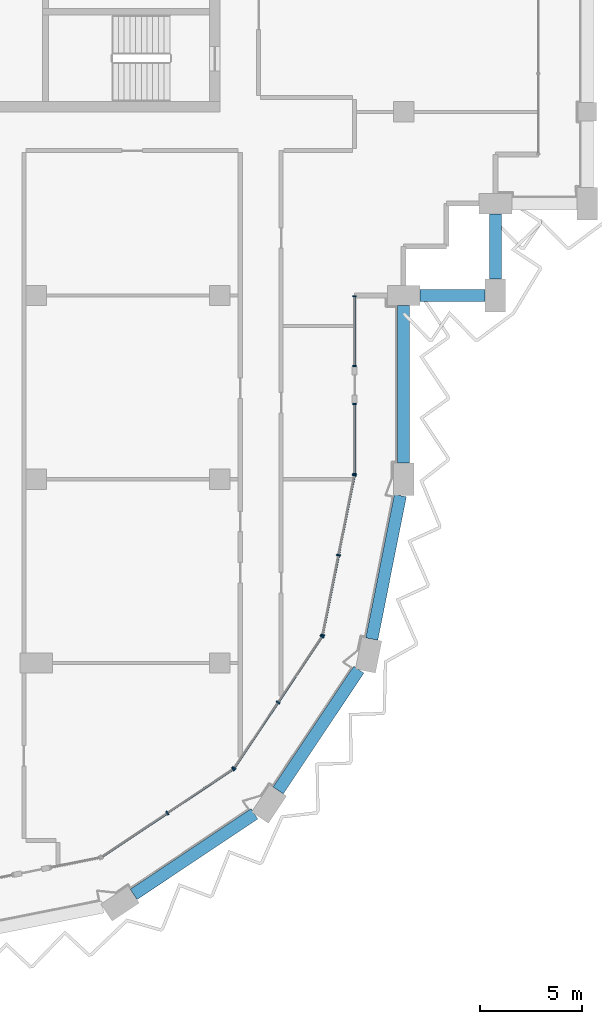
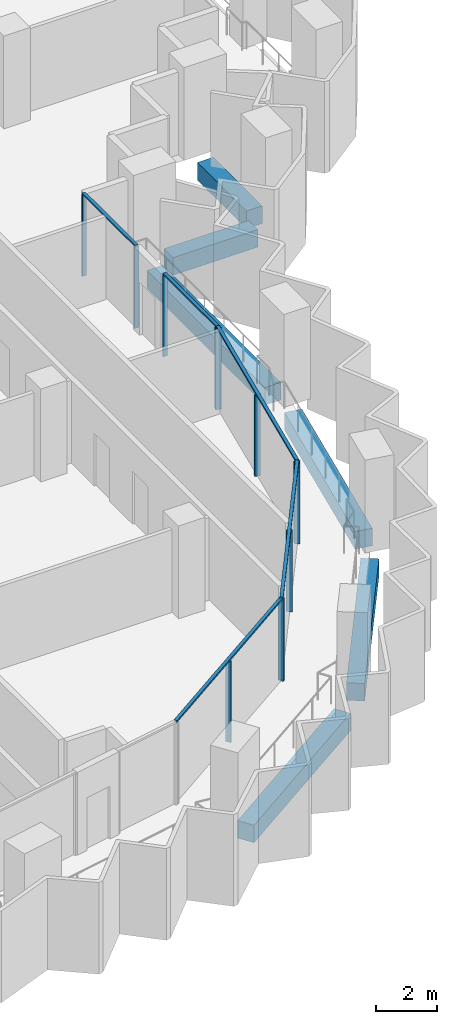
# One storey, part 3 of 16: 17 members, 6 beams, 5 elements without a shape of their own.
"""IFC4 building model written with IfcOpenShell, lengths in metres."""

from ifc_helpers import new_model, si_unit, direction, frame, origin, origin_2d, place, context, subcontext, project, spatial, rectangle, extrude, material, material_profile, profile_set, type_object, element, aggregate, save


model = new_model("IFC4")

# Units and contexts
model_context = context("Model", 3, precision=1e-05, world=origin(), true_north=direction((0.0, 1.0)))
body_context = subcontext(model_context, "Body", "Model", "MODEL_VIEW")
ifc_project = project(units=[si_unit("LENGTHUNIT", "METRE"), si_unit("AREAUNIT", "SQUARE_METRE"), si_unit("VOLUMEUNIT", "CUBIC_METRE"), si_unit("PLANEANGLEUNIT", "RADIAN"), si_unit("MASSUNIT", "GRAM", prefix="KILO")], contexts=[model_context])

# Site, building, storey
site_placement = place(None, origin())
site = spatial("IfcSite", under=ifc_project, at=site_placement, CompositionType="ELEMENT")
building_placement = place(site_placement, origin())
building = spatial("IfcBuilding", under=site, at=building_placement, Name="Hunhe Ridgeline Campus", CompositionType="ELEMENT")
storey_placement = place(building_placement, frame((0.0, 0.0, 235.5)))
storey = spatial("IfcBuildingStorey", under=building, at=storey_placement, Name="L60", CompositionType="ELEMENT", Elevation=235.5)

# Curtain wall, members
ifc_material_1 = material(Name="Aluminium 6063", Category="aluminium")
curtain_wall_type_1 = type_object("IfcCurtainWallType", Name="Curtain wall CW-1", PredefinedType="NOTDEFINED", material=ifc_material_1)
curtain_wall_1_placement = place(storey_placement, origin())
curtain_wall_1 = element("IfcCurtainWall", 1, at=curtain_wall_1_placement, inside=storey, type_object=curtain_wall_type_1, Name="Curtain wall 11", PredefinedType="NOTDEFINED")
ifc_material_profile_1 = material_profile(ifc_material_1, rectangle(XDim=0.159912109375, YDim=0.06005859375, at=origin_2d()))
ifc_profile_set_1 = profile_set([ifc_material_profile_1], Name="Aluminium 6063")
member_type_1 = type_object("IfcMemberType", Name="CW-1 aluminium mullion", PredefinedType="MULLION", material=ifc_profile_set_1)
member_1_placement = place(storey_placement, frame((42.59912109375, 45.266357421875, 0.0), z_axis=(0.0, 0.0, 1.0), x_axis=(-0.999999999815, 1.9241592e-05, 0.0)))
member_1 = element("IfcMember", 2, at=member_1_placement, type_object=member_type_1, Name="CW-1 mullion 1", PredefinedType="MULLION", context=body_context, shape_type="SweptSolid", body=[
    extrude(rectangle(XDim=0.159912109375, YDim=0.06005859375, at=origin_2d()), origin(), (0.0, 0.0, 1.0), 3.239990234375),
])
member_2_placement = place(storey_placement, frame((42.59912109375, 48.6884765625, 0.0), z_axis=(0.0, 0.0, 1.0), x_axis=(-0.999999999815, 1.9241592e-05, 0.0)))
member_2 = element("IfcMember", 3, at=member_2_placement, type_object=member_type_1, Name="CW-1 mullion 2", PredefinedType="MULLION", context=body_context, shape_type="SweptSolid", body=[
    extrude(rectangle(XDim=0.159912109375, YDim=0.06005859375, at=origin_2d()), origin(), (0.0, 0.0, 1.0), 3.239990234375),
])

curtain_wall_2_placement = place(storey_placement, origin())
curtain_wall_2 = element("IfcCurtainWall", 4, at=curtain_wall_2_placement, inside=storey, type_object=curtain_wall_type_1, Name="Curtain wall 12", PredefinedType="NOTDEFINED")
member_3_placement = place(storey_placement, frame((42.59912109375, 50.548583984375, 0.0), z_axis=(0.0, 0.0, 1.0), x_axis=(-0.999999999815, 1.9241592e-05, 0.0)))
member_3 = element("IfcMember", 5, at=member_3_placement, type_object=member_type_1, Name="CW-1 mullion 1", PredefinedType="MULLION", context=body_context, shape_type="SweptSolid", body=[
    extrude(rectangle(XDim=0.159912109375, YDim=0.06005859375, at=origin_2d()), origin(), (0.0, 0.0, 1.0), 3.239990234375),
])
member_4_placement = place(storey_placement, frame((42.59912109375, 53.970458984375, 0.0), z_axis=(0.0, 0.0, 1.0), x_axis=(-0.999999999815, 1.9241592e-05, 0.0)))
member_4 = element("IfcMember", 6, at=member_4_placement, type_object=member_type_1, Name="CW-1 mullion 2", PredefinedType="MULLION", context=body_context, shape_type="SweptSolid", body=[
    extrude(rectangle(XDim=0.159912109375, YDim=0.06005859375, at=origin_2d()), origin(), (0.0, 0.0, 1.0), 3.239990234375),
])

# Member
ifc_material_profile_2 = material_profile(ifc_material_1, rectangle(XDim=0.1201171875, YDim=0.06005859375, at=origin_2d()))
ifc_profile_set_2 = profile_set([ifc_material_profile_2], Name="Aluminium 6063")
member_type_2 = type_object("IfcMemberType", Name="CW-1 aluminium transom", PredefinedType="USERDEFINED", material=ifc_profile_set_2)
member_5_placement = place(storey_placement, frame((42.59912109375, 45.236572265625, 3.27001953125), z_axis=(0.0, 1.0, 0.0), x_axis=(-1.0, 0.0, 0.0)))
member_5 = element("IfcMember", 7, at=member_5_placement, type_object=member_type_2, Name="CW-1 transom 1", ObjectType="TRANSOM", PredefinedType="USERDEFINED", context=body_context, shape_type="SweptSolid", body=[
    extrude(rectangle(XDim=0.1201171875, YDim=0.06005859375, at=origin_2d()), origin(), (0.0, 0.0, 1.0), 3.48193359375),
])

aggregate(curtain_wall_1, [member_5, member_1, member_2])

member_6_placement = place(storey_placement, frame((42.59912109375, 50.5185546875, 3.27001953125), z_axis=(0.0, 1.0, 0.0), x_axis=(-1.0, 0.0, 0.0)))
member_6 = element("IfcMember", 8, at=member_6_placement, type_object=member_type_2, Name="CW-1 transom 1", ObjectType="TRANSOM", PredefinedType="USERDEFINED", context=body_context, shape_type="SweptSolid", body=[
    extrude(rectangle(XDim=0.1201171875, YDim=0.06005859375, at=origin_2d()), origin(), (0.0, 0.0, 1.0), 3.48193359375),
])

aggregate(curtain_wall_2, [member_6, member_3, member_4])

# Curtain wall, members
curtain_wall_type_2 = type_object("IfcCurtainWallType", Name="Curtain wall CW-5", PredefinedType="NOTDEFINED", material=ifc_material_1)
curtain_wall_3_placement = place(storey_placement, origin())
curtain_wall_3 = element("IfcCurtainWall", 9, at=curtain_wall_3_placement, inside=storey, type_object=curtain_wall_type_2, Name="Curtain wall 08", PredefinedType="NOTDEFINED")
ifc_material_profile_3 = material_profile(ifc_material_1, rectangle(XDim=0.199951171875, YDim=0.070068359375, at=origin_2d()))
ifc_profile_set_3 = profile_set([ifc_material_profile_3], Name="Aluminium 6063")
member_type_3 = type_object("IfcMemberType", Name="CW-5 aluminium mullion", PredefinedType="MULLION", material=ifc_profile_set_3)
member_7_placement = place(storey_placement, frame((33.42626953125, 28.647705078125, 0.0), z_axis=(0.0, 0.0, 1.0), x_axis=(-0.555570274596, 0.831469584522, 0.0)))
member_7 = element("IfcMember", 10, at=member_7_placement, type_object=member_type_3, Name="CW-5 mullion 2", PredefinedType="MULLION", context=body_context, shape_type="SweptSolid", body=[
    extrude(rectangle(XDim=0.199951171875, YDim=0.070068359375, at=origin_2d()), origin(), (0.0, 0.0, 1.0), 3.22998046875),
])
member_8_placement = place(storey_placement, frame((36.649658203125, 30.8017578125, 0.0), z_axis=(0.0, 0.0, 1.0), x_axis=(-0.555570274596, 0.831469584522, 0.0)))
member_8 = element("IfcMember", 11, at=member_8_placement, type_object=member_type_3, Name="CW-5 mullion 3", PredefinedType="MULLION", context=body_context, shape_type="SweptSolid", body=[
    extrude(rectangle(XDim=0.199951171875, YDim=0.070068359375, at=origin_2d()), origin(), (0.0, 0.0, 1.0), 3.22998046875),
])

curtain_wall_4_placement = place(storey_placement, origin())
curtain_wall_4 = element("IfcCurtainWall", 12, at=curtain_wall_4_placement, inside=storey, type_object=curtain_wall_type_2, Name="Curtain wall 09", PredefinedType="NOTDEFINED")
member_9_placement = place(storey_placement, frame((36.6982421875, 30.850341796875, 0.0), z_axis=(0.0, 0.0, 1.0), x_axis=(-0.831469584522, 0.555570274596, 0.0)))
member_9 = element("IfcMember", 13, at=member_9_placement, type_object=member_type_3, Name="CW-5 mullion 1", PredefinedType="MULLION", context=body_context, shape_type="SweptSolid", body=[
    extrude(rectangle(XDim=0.199951171875, YDim=0.070068359375, at=origin_2d()), origin(), (0.0, 0.0, 1.0), 3.22998046875),
])
member_10_placement = place(storey_placement, frame((38.852294921875, 34.07373046875, 0.0), z_axis=(0.0, 0.0, 1.0), x_axis=(-0.831469584522, 0.555570274596, 0.0)))
member_10 = element("IfcMember", 14, at=member_10_placement, type_object=member_type_3, Name="CW-5 mullion 2", PredefinedType="MULLION", context=body_context, shape_type="SweptSolid", body=[
    extrude(rectangle(XDim=0.199951171875, YDim=0.070068359375, at=origin_2d()), origin(), (0.0, 0.0, 1.0), 3.22998046875),
])
member_11_placement = place(storey_placement, frame((41.006103515625, 37.29736328125, 0.0), z_axis=(0.0, 0.0, 1.0), x_axis=(-0.831469584522, 0.555570274596, 0.0)))
member_11 = element("IfcMember", 15, at=member_11_placement, type_object=member_type_3, Name="CW-5 mullion 3", PredefinedType="MULLION", context=body_context, shape_type="SweptSolid", body=[
    extrude(rectangle(XDim=0.199951171875, YDim=0.070068359375, at=origin_2d()), origin(), (0.0, 0.0, 1.0), 3.22998046875),
])

curtain_wall_5_placement = place(storey_placement, origin())
curtain_wall_5 = element("IfcCurtainWall", 16, at=curtain_wall_5_placement, inside=storey, type_object=curtain_wall_type_2, Name="Curtain wall 10", PredefinedType="NOTDEFINED")
member_12_placement = place(storey_placement, frame((41.032470703125, 37.36083984375, 0.0), z_axis=(0.0, 0.0, 1.0), x_axis=(-0.980785284939, 0.195090299215, 0.0)))
member_12 = element("IfcMember", 17, at=member_12_placement, type_object=member_type_3, Name="CW-5 mullion 1", PredefinedType="MULLION", context=body_context, shape_type="SweptSolid", body=[
    extrude(rectangle(XDim=0.199951171875, YDim=0.070068359375, at=origin_2d()), origin(), (0.0, 0.0, 1.0), 3.22998046875),
])
member_13_placement = place(storey_placement, frame((41.812255859375, 41.281494140625, 0.0), z_axis=(0.0, 0.0, 1.0), x_axis=(-0.980785284939, 0.195090299215, 0.0)))
member_13 = element("IfcMember", 18, at=member_13_placement, type_object=member_type_3, Name="CW-5 mullion 2", PredefinedType="MULLION", context=body_context, shape_type="SweptSolid", body=[
    extrude(rectangle(XDim=0.199951171875, YDim=0.070068359375, at=origin_2d()), origin(), (0.0, 0.0, 1.0), 3.22998046875),
])
member_14_placement = place(storey_placement, frame((42.59228515625, 45.2021484375, 0.0), z_axis=(0.0, 0.0, 1.0), x_axis=(-0.980785284939, 0.195090299215, 0.0)))
member_14 = element("IfcMember", 19, at=member_14_placement, type_object=member_type_3, Name="CW-5 mullion 3", PredefinedType="MULLION", context=body_context, shape_type="SweptSolid", body=[
    extrude(rectangle(XDim=0.199951171875, YDim=0.070068359375, at=origin_2d()), origin(), (0.0, 0.0, 1.0), 3.22998046875),
])

# Member
ifc_material_profile_4 = material_profile(ifc_material_1, rectangle(XDim=0.1201171875, YDim=0.070068359375, at=origin_2d()))
ifc_profile_set_4 = profile_set([ifc_material_profile_4], Name="Aluminium 6063")
member_type_4 = type_object("IfcMemberType", Name="CW-5 aluminium transom", PredefinedType="USERDEFINED", material=ifc_profile_set_4)
member_15_placement = place(storey_placement, frame((30.173583984375, 26.474365234375, 3.264892578125), z_axis=(0.831473763475, 0.5555640203, 0.0), x_axis=(-0.5555640203, 0.831473763475, 0.0)))
member_15 = element("IfcMember", 20, at=member_15_placement, type_object=member_type_4, Name="CW-5 transom 1", ObjectType="TRANSOM", PredefinedType="USERDEFINED", context=body_context, shape_type="SweptSolid", body=[
    extrude(rectangle(XDim=0.1201171875, YDim=0.070068359375, at=origin_2d()), origin(), (0.0, 0.0, 1.0), 7.823974609375),
])

aggregate(curtain_wall_3, [member_15, member_7, member_8])

member_16_placement = place(storey_placement, frame((36.678955078125, 30.821044921875, 3.264892578125), z_axis=(0.5555640203, 0.831473763475, 0.0), x_axis=(-0.831473763475, 0.5555640203, 0.0)))
member_16 = element("IfcMember", 21, at=member_16_placement, type_object=member_type_4, Name="CW-5 transom 1", ObjectType="TRANSOM", PredefinedType="USERDEFINED", context=body_context, shape_type="SweptSolid", body=[
    extrude(rectangle(XDim=0.1201171875, YDim=0.070068359375, at=origin_2d()), origin(), (0.0, 0.0, 1.0), 7.823974609375),
])

aggregate(curtain_wall_4, [member_16, member_9, member_10, member_11])

member_17_placement = place(storey_placement, frame((41.025634765625, 37.326416015625, 3.264892578125), z_axis=(0.195097290093, 0.980783894341, 0.0), x_axis=(-0.980783894341, 0.195097290093, 0.0)))
member_17 = element("IfcMember", 22, at=member_17_placement, type_object=member_type_4, Name="CW-5 transom 1", ObjectType="TRANSOM", PredefinedType="USERDEFINED", context=body_context, shape_type="SweptSolid", body=[
    extrude(rectangle(XDim=0.1201171875, YDim=0.070068359375, at=origin_2d()), origin(), (0.0, 0.0, 1.0), 8.065185546875),
])

aggregate(curtain_wall_5, [member_17, member_12, member_13, member_14])

# Beams
ifc_material_2 = material(Name="Concrete C50", Category="concrete")
ifc_material_profile_5 = material_profile(ifc_material_2, rectangle(XDim=0.60009765625, YDim=0.699951171875, at=origin_2d()))
ifc_profile_set_5 = profile_set([ifc_material_profile_5], Name="Concrete C50")
beam_type = type_object("IfcBeamType", Name="RC spandrel beam 600x700 Concrete C50", PredefinedType="SPANDREL", material=ifc_profile_set_5)
for number, where, z_axis, x_axis, name in (
    (23, (31.775634765625, 24.6572265625, -0.60009765625), (0.831463706344, 0.55557907181, 0.0), (-0.55557907181, 0.831463706344, 0.0), "Spandrel beam B4-6 L60"),
    (24, (38.854248046875, 29.75537109375, -0.60009765625), (0.55557907181, 0.831463706344, 0.0), (-0.831463706344, 0.55557907181, 0.0), "Spandrel beam B4-7 L60"),
):
    element("IfcBeam", number, at=place(storey_placement, frame(where, z_axis=z_axis, x_axis=x_axis)), inside=storey, type_object=beam_type, Name=name, PredefinedType="SPANDREL", context=body_context, shape_type="SweptSolid", body=[
        extrude(rectangle(XDim=0.60009765625, YDim=0.699951171875, at=origin_2d()), origin(), (0.0, 0.0, 1.0), 7.113037109375),
    ])
beam_1_placement = place(storey_placement, frame((43.443359375, 37.17431640625, -0.60009765625), z_axis=(0.195087004291, 0.980785940334, 0.0), x_axis=(-0.980785940334, 0.195087004291, 0.0)))
element("IfcBeam", 25, at=beam_1_placement, inside=storey, type_object=beam_type, Name="Spandrel beam B4-8 L60", PredefinedType="SPANDREL", context=body_context, shape_type="SweptSolid", body=[
    extrude(rectangle(XDim=0.60009765625, YDim=0.699951171875, at=origin_2d()), origin(), (0.0, 0.0, 1.0), 7.163330078125),
])
beam_2_placement = place(storey_placement, frame((45.0, 45.800048828125, -0.60009765625), z_axis=(0.0, 1.0, 0.0), x_axis=(-1.0, 0.0, 0.0)))
element("IfcBeam", 26, at=beam_2_placement, inside=storey, type_object=beam_type, Name="Spandrel beam B4-9 L60", PredefinedType="SPANDREL", context=body_context, shape_type="SweptSolid", body=[
    extrude(rectangle(XDim=0.60009765625, YDim=0.699951171875, at=origin_2d()), origin(), (0.0, 0.0, 1.0), 7.699951171875),
])
for number, where, z_axis, x_axis, name in (
    (27, (45.800048828125, 54.0, -0.60009765625), (1.0, 0.0, 0.0), (0.0, 1.0, 0.0), "Spandrel beam B4-10 L60"),
    (28, (49.5, 54.800048828125, -0.60009765625), (0.0, 1.0, 0.0), (-1.0, 0.0, 0.0), "Spandrel beam B4-11 L60"),
):
    element("IfcBeam", number, at=place(storey_placement, frame(where, z_axis=z_axis, x_axis=x_axis)), inside=storey, type_object=beam_type, Name=name, PredefinedType="SPANDREL", context=body_context, shape_type="SweptSolid", body=[
        extrude(rectangle(XDim=0.60009765625, YDim=0.699951171875, at=origin_2d()), origin(), (0.0, 0.0, 1.0), 3.199951171875),
    ])

save(model, "model.ifc")
